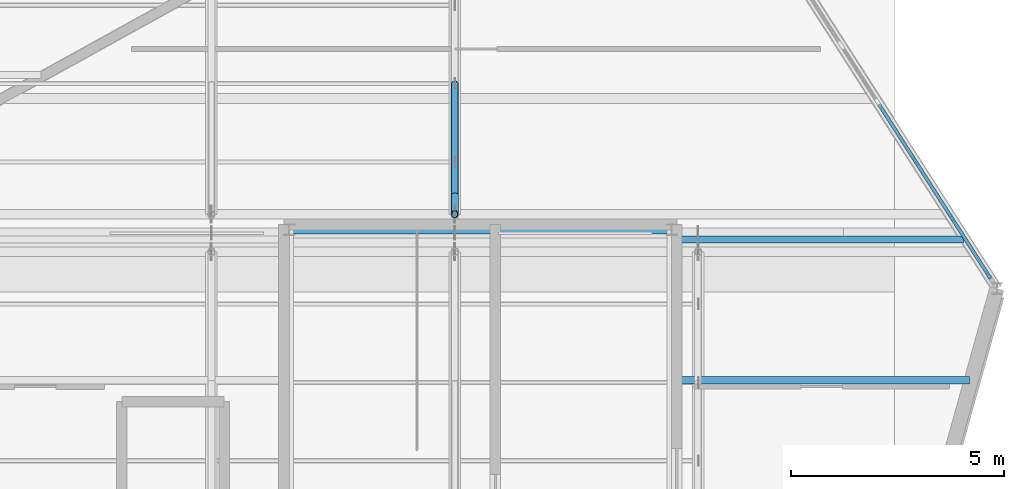
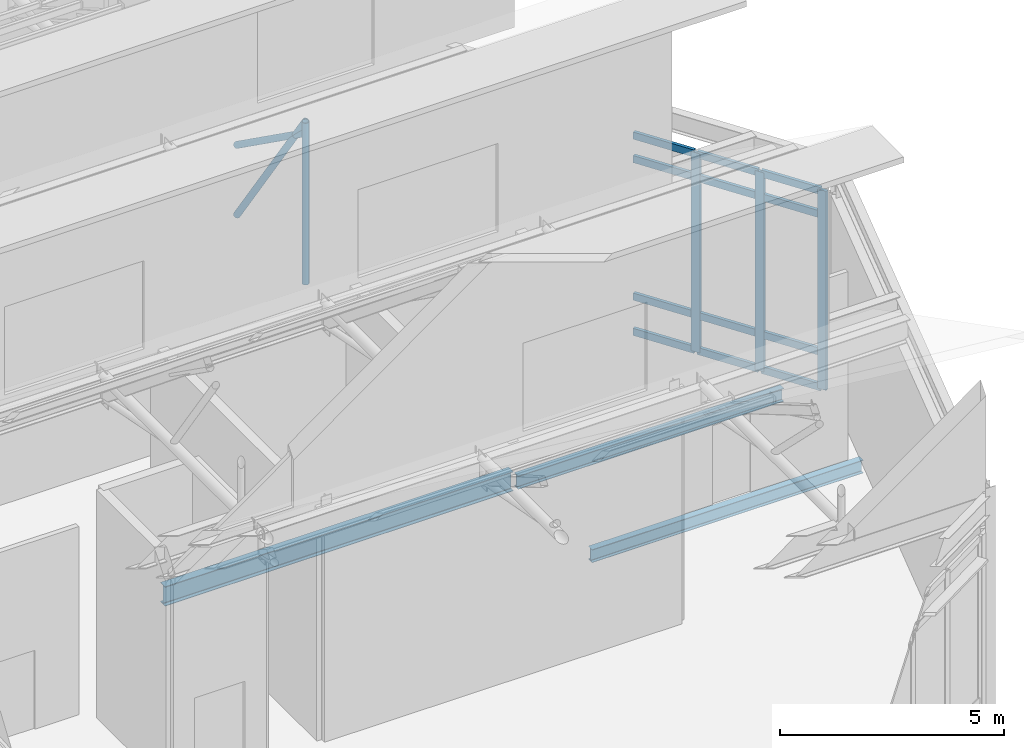
# One storey, part 24 of 55: 18 members, 3 beams, 1 element without a shape of its own.
"""IFC4 building model written with IfcOpenShell, lengths in metres."""

from ifc_helpers import new_model, si_unit, direction, frame, origin, origin_2d, place, context, subcontext, project, spatial, rectangle, hollow_circle, i_section, extrude, material, material_profile, profile_set, type_object, element, aggregate, save


model = new_model("IFC4")

# Units and contexts
model_context = context("Model", 3, precision=1e-05, world=origin(), true_north=direction((0.0, 1.0)))
body_context = subcontext(model_context, "Body", "Model", "MODEL_VIEW")
ifc_project = project(units=[si_unit("LENGTHUNIT", "METRE"), si_unit("AREAUNIT", "SQUARE_METRE"), si_unit("VOLUMEUNIT", "CUBIC_METRE"), si_unit("PLANEANGLEUNIT", "RADIAN"), si_unit("MASSUNIT", "GRAM", prefix="KILO")], contexts=[model_context])

# Site, building, storey
site_placement = place(None, origin())
site = spatial("IfcSite", under=ifc_project, at=site_placement, CompositionType="ELEMENT")
building_placement = place(site_placement, origin())
building = spatial("IfcBuilding", under=site, at=building_placement, Name="Tameran Prism Museum", CompositionType="ELEMENT")
storey_placement = place(building_placement, frame((0.0, 0.0, 28.800048828125)))
storey = spatial("IfcBuildingStorey", under=building, at=storey_placement, Name="L05", CompositionType="ELEMENT", Elevation=28.800048828125)

# Beams
ifc_material_1 = material(Name="Steel Grade 300PLUS (300 MPa)", Category="steel")
ifc_material_profile_1 = material_profile(ifc_material_1, i_section(OverallWidth=0.172119140625, OverallDepth=0.35888671875, WebThickness=0.008056640625, FlangeThickness=0.012939453125, FilletRadius=0.011474609375, at=origin_2d()))
ifc_profile_set_1 = profile_set([ifc_material_profile_1])
beam_type_1 = type_object("IfcBeamType", Name="BM-J360A", PredefinedType="JOIST", material=ifc_profile_set_1)
beam_1_placement = place(storey_placement, frame((135.47998046875, 86.35009765625, -0.41943359375), z_axis=(1.0, 0.0, 0.0), x_axis=(0.0, 1.0, 0.0)))
element("IfcBeam", 1, at=beam_1_placement, inside=storey, type_object=beam_type_1, Name="Floor Beam BM-1302", PredefinedType="JOIST", context=body_context, shape_type="SweptSolid", body=[
    extrude(i_section(OverallWidth=0.172119140625, OverallDepth=0.35888671875, WebThickness=0.008056640625, FlangeThickness=0.012939453125, FilletRadius=0.011474609375, at=origin_2d()), origin(), (0.0, 0.0, 1.0), 6.8359375),
])
ifc_material_2 = material(Name="Steel Grade 300PLUS (300 MPa)", Category="steel")
ifc_material_profile_2 = material_profile(ifc_material_2, i_section(OverallWidth=0.1708984375, OverallDepth=0.35595703125, WebThickness=0.00732421875, FlangeThickness=0.011474609375, FilletRadius=0.011474609375, at=origin_2d()))
ifc_profile_set_2 = profile_set([ifc_material_profile_2])
beam_type_2 = type_object("IfcBeamType", Name="BM-J360B", PredefinedType="JOIST", material=ifc_profile_set_2)
beam_2_placement = place(storey_placement, frame((135.47998046875, 83.050048828125, -0.41796875), z_axis=(1.0, 0.0, 0.0), x_axis=(0.0, 1.0, 0.0)))
element("IfcBeam", 2, at=beam_2_placement, inside=storey, type_object=beam_type_2, Name="Floor Beam BM-1300", PredefinedType="JOIST", context=body_context, shape_type="SweptSolid", body=[
    extrude(i_section(OverallWidth=0.1708984375, OverallDepth=0.35595703125, WebThickness=0.00732421875, FlangeThickness=0.011474609375, FilletRadius=0.011474609375, at=origin_2d()), origin(), (0.0, 0.0, 1.0), 6.97802734375),
])
ifc_material_3 = material(Name="Steel Grade 300PLUS (300 MPa)", Category="steel")
ifc_material_profile_3 = material_profile(ifc_material_3, i_section(OverallWidth=0.208984375, OverallDepth=0.528076171875, WebThickness=0.009521484375, FlangeThickness=0.01318359375, FilletRadius=0.013916015625, at=origin_2d()))
ifc_profile_set_3 = profile_set([ifc_material_profile_3])
beam_type_3 = type_object("IfcBeamType", Name="BM-SP530B", PredefinedType="SPANDREL", material=ifc_profile_set_3)
beam_3_placement = place(storey_placement, frame((135.47998046875, 86.580078125, -0.504150390625), z_axis=(-1.0, 0.0, 0.0), x_axis=(0.0, -1.0, 0.0)))
element("IfcBeam", 3, at=beam_3_placement, inside=storey, type_object=beam_type_3, Name="Core Ring Beam CTB-1277", PredefinedType="SPANDREL", context=body_context, shape_type="SweptSolid", body=[
    extrude(i_section(OverallWidth=0.208984375, OverallDepth=0.528076171875, WebThickness=0.009521484375, FlangeThickness=0.01318359375, FilletRadius=0.013916015625, at=origin_2d()), origin(), (0.0, 0.0, 1.0), 8.9599609375),
])

# Curtain wall, members
ifc_material_4 = material(Name="Anodised Aluminium 6063-T6 and Cyclone Solar Glass", Category="aluminium")
curtain_wall_type = type_object("IfcCurtainWallType", Name="CW-FAC-1444x542", PredefinedType="USERDEFINED", material=ifc_material_4)
curtain_wall_placement = place(storey_placement, origin())
curtain_wall = element("IfcCurtainWall", 4, at=curtain_wall_placement, inside=storey, type_object=curtain_wall_type, Name="Unitised Curtain Wall CW-166", ObjectType="UNITISED CURTAIN WALL", PredefinedType="USERDEFINED")
ifc_material_5 = material(Name="Anodised Aluminium Alloy 6063-T6", Category="aluminium")
ifc_material_profile_4 = material_profile(ifc_material_5, rectangle(XDim=0.080078125, YDim=0.219970703125, at=origin_2d()))
ifc_profile_set_4 = profile_set([ifc_material_profile_4])
member_type_1 = type_object("IfcMemberType", Name="CW-MUL-D", PredefinedType="MULLION", material=ifc_profile_set_4)
member_1_placement = place(storey_placement, frame((141.179931640625, 88.197265625, 0.0), z_axis=(0.0, 0.0, 1.0), x_axis=(0.842032375697, 0.539426990683, 0.0)))
member_1 = element("IfcMember", 5, at=member_1_placement, type_object=member_type_1, Name="CW-166 mullion 8", PredefinedType="MULLION", context=body_context, shape_type="SweptSolid", body=[
    extrude(rectangle(XDim=0.080078125, YDim=0.219970703125, at=origin_2d()), origin(), (0.0, 0.0, 1.0), 5.419921875),
])
member_2_placement = place(storey_placement, frame((142.04541015625, 86.84619140625, 0.0), z_axis=(0.0, 0.0, 1.0), x_axis=(0.842032375697, 0.539426990683, 0.0)))
member_2 = element("IfcMember", 6, at=member_2_placement, type_object=member_type_1, Name="CW-166 mullion 9", PredefinedType="MULLION", context=body_context, shape_type="SweptSolid", body=[
    extrude(rectangle(XDim=0.080078125, YDim=0.219970703125, at=origin_2d()), origin(), (0.0, 0.0, 1.0), 5.419921875),
])
member_3_placement = place(storey_placement, frame((142.889404296875, 85.528564453125, 0.0), z_axis=(0.0, 0.0, 1.0), x_axis=(0.842032375697, 0.539426990683, 0.0)))
member_3 = element("IfcMember", 7, at=member_3_placement, type_object=member_type_1, Name="CW-166 mullion 10", PredefinedType="MULLION", context=body_context, shape_type="SweptSolid", body=[
    extrude(rectangle(XDim=0.080078125, YDim=0.219970703125, at=origin_2d()), origin(), (0.0, 0.0, 1.0), 5.419921875),
])
ifc_material_6 = material(Name="Anodised Aluminium Alloy 6063-T6", Category="aluminium")
ifc_material_profile_5 = material_profile(ifc_material_6, rectangle(XDim=0.080078125, YDim=0.195068359375, at=origin_2d()))
ifc_profile_set_5 = profile_set([ifc_material_profile_5])
member_type_2 = type_object("IfcMemberType", Name="CW-TRN-D", PredefinedType="USERDEFINED", material=ifc_profile_set_5)
member_4_placement = place(storey_placement, frame((140.3359375, 89.5146484375, 0.0400390625), z_axis=(0.539380860834, -0.84206192585, 0.0), x_axis=(0.84206192585, 0.539380860834, 0.0)))
member_4 = element("IfcMember", 8, at=member_4_placement, type_object=member_type_2, Name="CW-166 transom 7.1", ObjectType="TRANSOM", PredefinedType="USERDEFINED", context=body_context, shape_type="SweptSolid", body=[
    extrude(rectangle(XDim=0.080078125, YDim=0.195068359375, at=origin_2d()), origin(), (0.0, 0.0, 1.0), 1.5244140625),
])
member_5_placement = place(storey_placement, frame((140.3359375, 89.5146484375, 1.0), z_axis=(0.539380860834, -0.84206192585, 0.0), x_axis=(0.84206192585, 0.539380860834, 0.0)))
member_5 = element("IfcMember", 9, at=member_5_placement, type_object=member_type_2, Name="CW-166 transom 7.2", ObjectType="TRANSOM", PredefinedType="USERDEFINED", context=body_context, shape_type="SweptSolid", body=[
    extrude(rectangle(XDim=0.080078125, YDim=0.195068359375, at=origin_2d()), origin(), (0.0, 0.0, 1.0), 1.5244140625),
])
member_6_placement = place(storey_placement, frame((140.3359375, 89.5146484375, 4.739990234375), z_axis=(0.539380860834, -0.84206192585, 0.0), x_axis=(0.84206192585, 0.539380860834, 0.0)))
member_6 = element("IfcMember", 10, at=member_6_placement, type_object=member_type_2, Name="CW-166 transom 7.3", ObjectType="TRANSOM", PredefinedType="USERDEFINED", context=body_context, shape_type="SweptSolid", body=[
    extrude(rectangle(XDim=0.080078125, YDim=0.195068359375, at=origin_2d()), origin(), (0.0, 0.0, 1.0), 1.5244140625),
])
member_7_placement = place(storey_placement, frame((140.3359375, 89.5146484375, 5.3798828125), z_axis=(0.539380860834, -0.84206192585, 0.0), x_axis=(0.84206192585, 0.539380860834, 0.0)))
member_7 = element("IfcMember", 11, at=member_7_placement, type_object=member_type_2, Name="CW-166 transom 7.4", ObjectType="TRANSOM", PredefinedType="USERDEFINED", context=body_context, shape_type="SweptSolid", body=[
    extrude(rectangle(XDim=0.080078125, YDim=0.195068359375, at=origin_2d()), origin(), (0.0, 0.0, 1.0), 1.5244140625),
])
member_8_placement = place(storey_placement, frame((141.201416015625, 88.16357421875, 0.0400390625), z_axis=(0.539494402493, -0.8419891862, 0.0), x_axis=(0.8419891862, 0.539494402493, 0.0)))
member_8 = element("IfcMember", 12, at=member_8_placement, type_object=member_type_2, Name="CW-166 transom 8.1", ObjectType="TRANSOM", PredefinedType="USERDEFINED", context=body_context, shape_type="SweptSolid", body=[
    extrude(rectangle(XDim=0.080078125, YDim=0.195068359375, at=origin_2d()), origin(), (0.0, 0.0, 1.0), 1.524658203125),
])
member_9_placement = place(storey_placement, frame((141.201416015625, 88.16357421875, 1.0), z_axis=(0.539494402493, -0.8419891862, 0.0), x_axis=(0.8419891862, 0.539494402493, 0.0)))
member_9 = element("IfcMember", 13, at=member_9_placement, type_object=member_type_2, Name="CW-166 transom 8.2", ObjectType="TRANSOM", PredefinedType="USERDEFINED", context=body_context, shape_type="SweptSolid", body=[
    extrude(rectangle(XDim=0.080078125, YDim=0.195068359375, at=origin_2d()), origin(), (0.0, 0.0, 1.0), 1.524658203125),
])
member_10_placement = place(storey_placement, frame((141.201416015625, 88.16357421875, 4.739990234375), z_axis=(0.539494402493, -0.8419891862, 0.0), x_axis=(0.8419891862, 0.539494402493, 0.0)))
member_10 = element("IfcMember", 14, at=member_10_placement, type_object=member_type_2, Name="CW-166 transom 8.3", ObjectType="TRANSOM", PredefinedType="USERDEFINED", context=body_context, shape_type="SweptSolid", body=[
    extrude(rectangle(XDim=0.080078125, YDim=0.195068359375, at=origin_2d()), origin(), (0.0, 0.0, 1.0), 1.524658203125),
])
member_11_placement = place(storey_placement, frame((141.201416015625, 88.16357421875, 5.3798828125), z_axis=(0.539494402493, -0.8419891862, 0.0), x_axis=(0.8419891862, 0.539494402493, 0.0)))
member_11 = element("IfcMember", 15, at=member_11_placement, type_object=member_type_2, Name="CW-166 transom 8.4", ObjectType="TRANSOM", PredefinedType="USERDEFINED", context=body_context, shape_type="SweptSolid", body=[
    extrude(rectangle(XDim=0.080078125, YDim=0.195068359375, at=origin_2d()), origin(), (0.0, 0.0, 1.0), 1.524658203125),
])
member_12_placement = place(storey_placement, frame((142.067138671875, 86.8125, 0.0400390625), z_axis=(0.539352298956, -0.842080220413, 0.0), x_axis=(0.842080220413, 0.539352298956, 0.0)))
member_12 = element("IfcMember", 16, at=member_12_placement, type_object=member_type_2, Name="CW-166 transom 9.1", ObjectType="TRANSOM", PredefinedType="USERDEFINED", context=body_context, shape_type="SweptSolid", body=[
    extrude(rectangle(XDim=0.080078125, YDim=0.195068359375, at=origin_2d()), origin(), (0.0, 0.0, 1.0), 1.484619140625),
])
member_13_placement = place(storey_placement, frame((142.067138671875, 86.8125, 1.0), z_axis=(0.539352298956, -0.842080220413, 0.0), x_axis=(0.842080220413, 0.539352298956, 0.0)))
member_13 = element("IfcMember", 17, at=member_13_placement, type_object=member_type_2, Name="CW-166 transom 9.2", ObjectType="TRANSOM", PredefinedType="USERDEFINED", context=body_context, shape_type="SweptSolid", body=[
    extrude(rectangle(XDim=0.080078125, YDim=0.195068359375, at=origin_2d()), origin(), (0.0, 0.0, 1.0), 1.484619140625),
])
member_14_placement = place(storey_placement, frame((142.067138671875, 86.8125, 4.739990234375), z_axis=(0.539352298956, -0.842080220413, 0.0), x_axis=(0.842080220413, 0.539352298956, 0.0)))
member_14 = element("IfcMember", 18, at=member_14_placement, type_object=member_type_2, Name="CW-166 transom 9.3", ObjectType="TRANSOM", PredefinedType="USERDEFINED", context=body_context, shape_type="SweptSolid", body=[
    extrude(rectangle(XDim=0.080078125, YDim=0.195068359375, at=origin_2d()), origin(), (0.0, 0.0, 1.0), 1.484619140625),
])
member_15_placement = place(storey_placement, frame((142.067138671875, 86.8125, 5.3798828125), z_axis=(0.539352298956, -0.842080220413, 0.0), x_axis=(0.842080220413, 0.539352298956, 0.0)))
member_15 = element("IfcMember", 19, at=member_15_placement, type_object=member_type_2, Name="CW-166 transom 9.4", ObjectType="TRANSOM", PredefinedType="USERDEFINED", context=body_context, shape_type="SweptSolid", body=[
    extrude(rectangle(XDim=0.080078125, YDim=0.195068359375, at=origin_2d()), origin(), (0.0, 0.0, 1.0), 1.484619140625),
])
aggregate(curtain_wall, [member_1, member_2, member_3, member_4, member_5, member_6, member_7, member_8, member_9, member_10, member_11, member_12, member_13, member_14, member_15])

# Members
ifc_material_7 = material(Name="Steel Grade C350L0 (350 MPa)", Category="steel")
ifc_material_profile_6 = material_profile(ifc_material_7, hollow_circle(Radius=0.084228515625, WallThickness=0.007080078125, at=origin_2d()))
ifc_profile_set_6 = profile_set([ifc_material_profile_6])
member_type_3 = type_object("IfcMemberType", Name="MM-BR-CHS168", PredefinedType="BRACE", material=ifc_profile_set_6)
member_16_placement = place(storey_placement, frame((130.39990234375, 86.93994140625, 6.385986328125), z_axis=(0.0, 0.0, 1.0), x_axis=(1.0, 0.0, 0.0)))
element("IfcMember", 20, at=member_16_placement, inside=storey, type_object=member_type_3, Name="Sawtooth Brace STM-0108", PredefinedType="BRACE", context=body_context, shape_type="SweptSolid", body=[
    extrude(hollow_circle(Radius=0.084228515625, WallThickness=0.007080078125, at=origin_2d()), origin(), (0.0, 0.0, 1.0), 4.40185546875),
])
member_17_placement = place(storey_placement, frame((130.39990234375, 90.0, 6.385986328125), z_axis=(0.0, -0.570800267729, 0.821088944244), x_axis=(1.0, 0.0, 0.0)))
element("IfcMember", 21, at=member_17_placement, inside=storey, type_object=member_type_3, Name="Sawtooth Brace STM-0110", PredefinedType="BRACE", context=body_context, shape_type="SweptSolid", body=[
    extrude(hollow_circle(Radius=0.084228515625, WallThickness=0.007080078125, at=origin_2d()), origin(), (0.0, 0.0, 1.0), 5.361083984375),
])
ifc_material_8 = material(Name="Steel Grade C350L0 (350 MPa)", Category="steel")
ifc_material_profile_7 = material_profile(ifc_material_8, hollow_circle(Radius=0.084228515625, WallThickness=0.007080078125, at=origin_2d()))
ifc_profile_set_7 = profile_set([ifc_material_profile_7])
member_type_4 = type_object("IfcMemberType", Name="MM-ST-CHS168", PredefinedType="STRUT", material=ifc_profile_set_7)
member_18_placement = place(storey_placement, frame((130.39990234375, 86.93994140625, 10.468017578125), z_axis=(0.0, 0.814435342728, -0.580254317102), x_axis=(-1.0, 0.0, 0.0)))
element("IfcMember", 22, at=member_18_placement, inside=storey, type_object=member_type_4, Name="Sawtooth Strut STM-0112", PredefinedType="STRUT", context=body_context, shape_type="SweptSolid", body=[
    extrude(hollow_circle(Radius=0.084228515625, WallThickness=0.007080078125, at=origin_2d()), origin(), (0.0, 0.0, 1.0), 3.75732421875),
])

save(model, "model.ifc")
